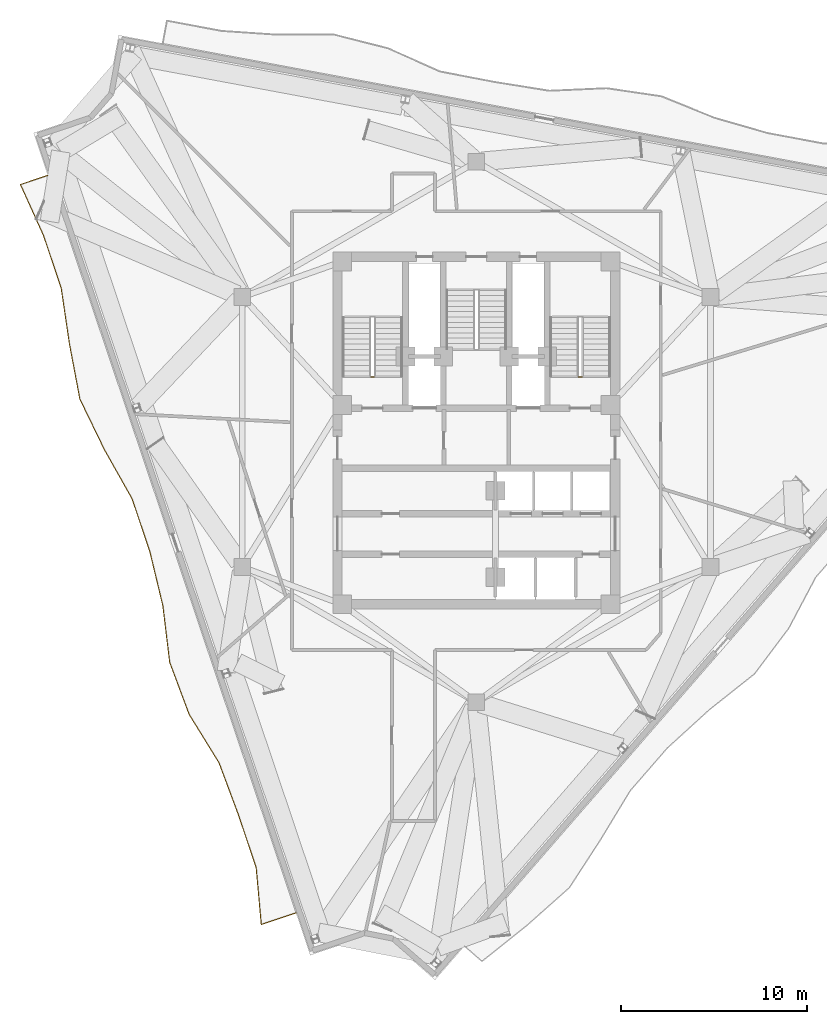
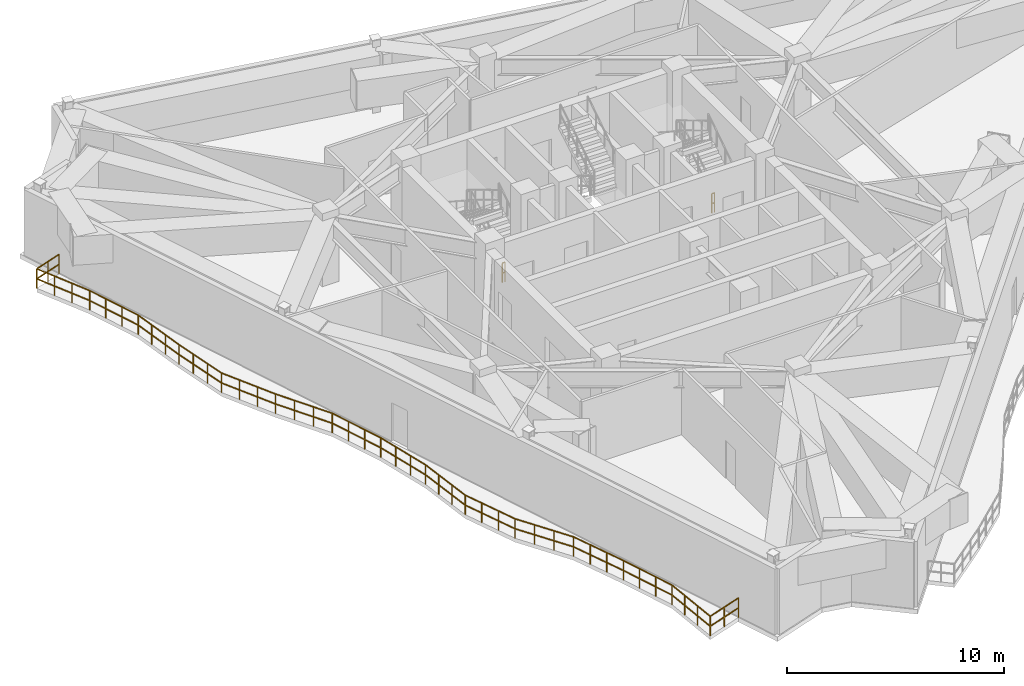
# One storey, part 8 of 10: 3 railings.
"""IFC4 building model written with IfcOpenShell, lengths in metres."""

import ifcopenshell
import ifcopenshell.guid

model = None  # the IFC model being written
_history = None  # IfcOwnerHistory: only IFC2X3 demands one
_inside = {}  # id of a spatial element -> (the spatial element, [elements in it])
_under = {}  # id of a project, library or spatial element -> (it, [spatial elements below it])
_declared = {}  # id of a project -> (the project, [libraries it declares])
_typed = {}  # id of a type object -> (the type object, [elements of that type])
_made_of = {}  # id of a material, layer set ... -> (it, [elements and type objects made of it])


def new_model(schema):
    """Start an empty IFC model of exactly this schema.

    Asked for "IFC4X3", IfcOpenShell would pick the latest addendum, in which some entities
    have other attributes; the version numbers below select the first issue.
    IFC2X3 requires an IfcOwnerHistory on every rooted entity: one is made here for all.
    """
    global model, _history
    if schema == "IFC4X3":
        model = ifcopenshell.file(schema_version=(4, 3, 0, 0))
    else:
        model = ifcopenshell.file(schema=schema)
    _inside.clear()
    _under.clear()
    _declared.clear()
    _typed.clear()
    _made_of.clear()
    _history = None
    if model.schema == "IFC2X3":
        org = make("IfcOrganization", Name="unknown")
        user = make(
            "IfcPersonAndOrganization",
            ThePerson=make("IfcPerson", FamilyName="unknown"),
            TheOrganization=org,
        )
        app = make(
            "IfcApplication",
            ApplicationDeveloper=org,
            Version="unknown",
            ApplicationFullName="unknown",
            ApplicationIdentifier="unknown",
        )
        _history = make(
            "IfcOwnerHistory",
            OwningUser=user,
            OwningApplication=app,
            ChangeAction="ADDED",
            CreationDate=0,
        )
    return model


def make(cls, **values):
    """One entity of the class cls with the attributes given. An attribute that is None is left unset."""
    return model.create_entity(
        cls, **{name: value for name, value in values.items() if value is not None}
    )


def rooted(cls, **values):
    """An entity with a GlobalId (a new one), such as an element, a storey or a relation."""
    return make(cls, GlobalId=ifcopenshell.guid.new(), OwnerHistory=_history, **values)


def si_unit(unit_type, name, prefix=None):
    """IfcSIUnit, for example si_unit("LENGTHUNIT", "METRE", prefix="MILLI")."""
    return make("IfcSIUnit", UnitType=unit_type, Prefix=prefix, Name=name)


def assignment(units):
    """IfcUnitAssignment: the units of a project."""
    return None if units is None else make("IfcUnitAssignment", Units=units)


def point(xyz):
    """IfcCartesianPoint."""
    return None if xyz is None else make("IfcCartesianPoint", Coordinates=xyz)


def direction(xyz):
    """IfcDirection."""
    return None if xyz is None else make("IfcDirection", DirectionRatios=xyz)


def frame(location, z_axis=None, x_axis=None):
    """IfcAxis2Placement3D, a coordinate frame: its origin and axes. An axis left out is left unset."""
    return make(
        "IfcAxis2Placement3D",
        Location=point(location),
        Axis=direction(z_axis),
        RefDirection=direction(x_axis),
    )


def frame_2d(location, x_axis=None):
    """IfcAxis2Placement2D, a coordinate frame in the plane: its origin and x axis."""
    return make(
        "IfcAxis2Placement2D", Location=point(location), RefDirection=direction(x_axis)
    )


def origin():
    """The frame at (0, 0, 0) with its axes left unset."""
    return frame((0.0, 0.0, 0.0))


def origin_2d():
    """The frame at (0, 0) in the plane with its x axis left unset."""
    return frame_2d((0.0, 0.0))


def place(relative_to, where):
    """IfcLocalPlacement: puts the frame where relative to a parent placement (None: the world)."""
    return make(
        "IfcLocalPlacement", PlacementRelTo=relative_to, RelativePlacement=where
    )


def context(
    kind, dimensions, precision=None, world=None, true_north=None, identifier=None
):
    """IfcGeometricRepresentationContext, for example the 3D "Model" context."""
    return make(
        "IfcGeometricRepresentationContext",
        ContextIdentifier=identifier,
        ContextType=kind,
        CoordinateSpaceDimension=dimensions,
        Precision=precision,
        WorldCoordinateSystem=world,
        TrueNorth=true_north,
    )


def subcontext(parent, identifier, kind, view, scale=None):
    """IfcGeometricRepresentationSubContext, for example "Body" below "Model"."""
    return make(
        "IfcGeometricRepresentationSubContext",
        ContextIdentifier=identifier,
        ContextType=kind,
        ParentContext=parent,
        TargetScale=scale,
        TargetView=view,
    )


def project(units=None, contexts=None):
    """IfcProject with its units and contexts."""
    return rooted(
        "IfcProject",
        Name="project",
        RepresentationContexts=contexts,
        UnitsInContext=assignment(units),
    )


def spatial(cls, under=None, at=None, **own):
    """A site, building, storey or space (cls), placed at a placement, below another one or the project."""
    s = rooted(cls, ObjectPlacement=at, **own)
    if under is not None:
        _under.setdefault(under.id(), (under, []))[1].append(s)
    return s


def profile(cls, at=None, kind="AREA", **sizes):
    """A parametric profile (cls). Its sizes go by their IFC names, for example OverallWidth=200.0."""
    return make(cls, ProfileType=kind, Position=at, **sizes)


def rectangle(**sizes):
    """IfcRectangleProfileDef."""
    return profile("IfcRectangleProfileDef", **sizes)


def extrude(swept, where, along, depth):
    """IfcExtrudedAreaSolid: the profile swept, set in the frame where, extruded along a direction by depth."""
    return make(
        "IfcExtrudedAreaSolid",
        SweptArea=swept,
        Position=where,
        ExtrudedDirection=direction(along),
        Depth=depth,
    )


def shape(context_of_items, identifier, shape_type, items):
    """IfcShapeRepresentation: the items that make up one representation, for example the "Body"."""
    return make(
        "IfcShapeRepresentation",
        ContextOfItems=context_of_items,
        RepresentationIdentifier=identifier,
        RepresentationType=shape_type,
        Items=items,
    )


def material(Name=None, Category=None):
    """IfcMaterial."""
    return make("IfcMaterial", Name=Name, Category=Category)


def made_of(thing, what):
    """Note that an element or type object is made of a material, layer set ...; save() writes the relation."""
    if what is not None:
        _made_of.setdefault(what.id(), (what, []))[1].append(thing)
    return thing


def type_object(cls, material=None, **own):
    """A type object (cls), such as IfcWallType, which elements share."""
    return made_of(rooted(cls, **own), material)


def element(
    cls,
    number,
    at=None,
    inside=None,
    cuts=None,
    type_object=None,
    material=None,
    context=None,
    identifier="Body",
    shape_type=None,
    held_by="IfcProductDefinitionShape",
    body=None,
    shapes=None,
    **own,
):
    """One element of the class cls, such as IfcWall. Its Tag is "e" and its number.

    at: its placement. inside: the storey or other place that contains it. cuts: it is an
    opening in that element (IfcRelVoidsElement). A single representation is given by context,
    identifier, shape_type and body (its items); several are given by shapes. held_by: the class
    of the entity that holds the representations. save() writes the other relations.
    """
    e = rooted(cls, Tag="e%d" % number, ObjectPlacement=at, **own)
    if body is not None:
        shapes = [shape(context, identifier, shape_type, body)]
    if shapes is not None:
        e.Representation = make(held_by, Representations=shapes)
    if inside is not None:
        _inside.setdefault(inside.id(), (inside, []))[1].append(e)
    if cuts is not None:
        rooted(
            "IfcRelVoidsElement", RelatingBuildingElement=cuts, RelatedOpeningElement=e
        )
    if type_object is not None:
        _typed.setdefault(type_object.id(), (type_object, []))[1].append(e)
    return made_of(e, material)


def aggregate(whole, parts):
    """IfcRelAggregates: a whole, such as a stair, and the parts it consists of."""
    return rooted("IfcRelAggregates", RelatingObject=whole, RelatedObjects=parts)


def save(model, path):
    """Write the relations noted so far, then the file.

    IfcRelAggregates (storeys below a building ...), IfcRelContainedInSpatialStructure (elements
    in a storey), IfcRelDefinesByType, IfcRelAssociatesMaterial and IfcRelDeclares: one each for
    every whole, place, type object, material and project.
    """
    for whole, parts in _under.values():
        aggregate(whole, parts)
    for where, things in _inside.values():
        rooted(
            "IfcRelContainedInSpatialStructure",
            RelatedElements=things,
            RelatingStructure=where,
        )
    for kind, things in _typed.values():
        rooted("IfcRelDefinesByType", RelatedObjects=things, RelatingType=kind)
    for what, things in _made_of.values():
        rooted("IfcRelAssociatesMaterial", RelatedObjects=things, RelatingMaterial=what)
    for by, libraries in _declared.values():
        rooted("IfcRelDeclares", RelatingContext=by, RelatedDefinitions=libraries)
    model.write(path)


model = new_model("IFC4")

# Units and contexts
model_context = context("Model", 3, precision=1e-05, world=origin(), true_north=direction((0.0, 1.0)))
body_context = subcontext(model_context, "Body", "Model", "MODEL_VIEW")
ifc_project = project(units=[si_unit("LENGTHUNIT", "METRE"), si_unit("AREAUNIT", "SQUARE_METRE"), si_unit("VOLUMEUNIT", "CUBIC_METRE"), si_unit("PLANEANGLEUNIT", "RADIAN"), si_unit("MASSUNIT", "GRAM", prefix="KILO")], contexts=[model_context])

# Site, building, storey
site_placement = place(None, origin())
site = spatial("IfcSite", under=ifc_project, at=site_placement, CompositionType="ELEMENT")
building_placement = place(site_placement, origin())
building = spatial("IfcBuilding", under=site, at=building_placement, Name="Apsidion Concourse Tower", CompositionType="ELEMENT")
storey_placement = place(building_placement, frame((0.0, 0.0, 290.10009765625)))
storey = spatial("IfcBuildingStorey", under=building, at=storey_placement, Name="L68", CompositionType="ELEMENT", Elevation=290.10009765625)

# Railings
ifc_material = material(Name="Brushed stainless steel 316", Category="steel")
railing_type_1 = type_object("IfcRailingType", Name="RL-BAL-1120", PredefinedType="BALUSTRADE", material=ifc_material)
railing_placement = place(storey_placement, frame((-9.681396484375, -25.806884765625, 0.0)))
element("IfcRailing", 1, at=railing_placement, inside=storey, type_object=railing_type_1, Name="L68 Face 1 Rippling Balcony Balustrade", PredefinedType="BALUSTRADE", context=body_context, shape_type="SweptSolid", body=[
    extrude(rectangle(XDim=0.048095703125, YDim=0.048095703125, at=origin_2d()), frame((0.0, 0.0, 1.09619140625), z_axis=(-0.947809931196, -0.318835905014, 0.0), x_axis=(0.318835905014, -0.947809931196, 0.0)), (0.0, 0.0, 1.0), 1.96484375),
    extrude(rectangle(XDim=0.048095703125, YDim=0.048095703125, at=origin_2d()), frame((0.0, 0.0, 0.5361328125), z_axis=(-0.947809931196, -0.318835905014, 0.0), x_axis=(0.318835905014, -0.947809931196, 0.0)), (0.0, 0.0, 1.0), 1.96484375),
    extrude(rectangle(XDim=0.048095703125, YDim=0.048095703125, at=origin_2d()), frame((-1.8623046875, -0.62646484375, 1.09619140625), z_axis=(-0.089301360053, 0.996004652144, 0.0), x_axis=(-0.996004652144, -0.089301360053, 0.0)), (0.0, 0.0, 1.0), 3.0673828125),
    extrude(rectangle(XDim=0.048095703125, YDim=0.048095703125, at=origin_2d()), frame((-1.8623046875, -0.62646484375, 0.5361328125), z_axis=(-0.089301360053, 0.996004652144, 0.0), x_axis=(-0.996004652144, -0.089301360053, 0.0)), (0.0, 0.0, 1.0), 3.0673828125),
    extrude(rectangle(XDim=0.048095703125, YDim=0.048095703125, at=origin_2d()), frame((-2.13623046875, 2.4287109375, 1.09619140625), z_axis=(-0.318853658864, 0.947803958754, 0.0), x_axis=(-0.947803958754, -0.318853658864, 0.0)), (0.0, 0.0, 1.0), 2.983154296875),
    extrude(rectangle(XDim=0.048095703125, YDim=0.048095703125, at=origin_2d()), frame((-2.13623046875, 2.4287109375, 0.5361328125), z_axis=(-0.318853658864, 0.947803958754, 0.0), x_axis=(-0.947803958754, -0.318853658864, 0.0)), (0.0, 0.0, 1.0), 2.983154296875),
    extrude(rectangle(XDim=0.048095703125, YDim=0.048095703125, at=origin_2d()), frame((-3.08740234375, 5.256103515625, 1.09619140625), z_axis=(-0.349141418855, 0.937070045215, 0.0), x_axis=(-0.937070045215, -0.349141418855, 0.0)), (0.0, 0.0, 1.0), 2.984375),
    extrude(rectangle(XDim=0.048095703125, YDim=0.048095703125, at=origin_2d()), frame((-3.08740234375, 5.256103515625, 0.5361328125), z_axis=(-0.349141418855, 0.937070045215, 0.0), x_axis=(-0.937070045215, -0.349141418855, 0.0)), (0.0, 0.0, 1.0), 2.984375),
    extrude(rectangle(XDim=0.048095703125, YDim=0.048095703125, at=origin_2d()), frame((-4.12939453125, 8.052734375, 1.09619140625), z_axis=(-0.525182259942, 0.850989773054, 0.0), x_axis=(-0.850989773054, -0.525182259942, 0.0)), (0.0, 0.0, 1.0), 3.0625),
    extrude(rectangle(XDim=0.048095703125, YDim=0.048095703125, at=origin_2d()), frame((-4.12939453125, 8.052734375, 0.5361328125), z_axis=(-0.525182259942, 0.850989773054, 0.0), x_axis=(-0.850989773054, -0.525182259942, 0.0)), (0.0, 0.0, 1.0), 3.0625),
    extrude(rectangle(XDim=0.048095703125, YDim=0.048095703125, at=origin_2d()), frame((-5.73779296875, 10.658935546875, 1.09619140625), z_axis=(-0.349042825188, 0.937106774164, 0.0), x_axis=(-0.937106774164, -0.349042825188, 0.0)), (0.0, 0.0, 1.0), 2.984619140625),
    extrude(rectangle(XDim=0.048095703125, YDim=0.048095703125, at=origin_2d()), frame((-5.73779296875, 10.658935546875, 0.5361328125), z_axis=(-0.349042825188, 0.937106774164, 0.0), x_axis=(-0.937106774164, -0.349042825188, 0.0)), (0.0, 0.0, 1.0), 2.984619140625),
    extrude(rectangle(XDim=0.048095703125, YDim=0.048095703125, at=origin_2d()), frame((-6.779541015625, 13.455810546875, 1.09619140625), z_axis=(-0.119644481568, 0.992816799833, 0.0), x_axis=(-0.992816799833, -0.119644481568, 0.0)), (0.0, 0.0, 1.0), 3.046630859375),
    extrude(rectangle(XDim=0.048095703125, YDim=0.048095703125, at=origin_2d()), frame((-6.779541015625, 13.455810546875, 0.5361328125), z_axis=(-0.119644481568, 0.992816799833, 0.0), x_axis=(-0.992816799833, -0.119644481568, 0.0)), (0.0, 0.0, 1.0), 3.046630859375),
    extrude(rectangle(XDim=0.048095703125, YDim=0.048095703125, at=origin_2d()), frame((-7.14404296875, 16.48046875, 1.09619140625), z_axis=(-0.233625756152, 0.972326594341, 0.0), x_axis=(-0.972326594341, -0.233625756152, 0.0)), (0.0, 0.0, 1.0), 2.994873046875),
    extrude(rectangle(XDim=0.048095703125, YDim=0.048095703125, at=origin_2d()), frame((-7.14404296875, 16.48046875, 0.5361328125), z_axis=(-0.233625756152, 0.972326594341, 0.0), x_axis=(-0.972326594341, -0.233625756152, 0.0)), (0.0, 0.0, 1.0), 2.994873046875),
    extrude(rectangle(XDim=0.048095703125, YDim=0.048095703125, at=origin_2d()), frame((-7.84375, 19.392578125, 1.09619140625), z_axis=(-0.318951916202, 0.947770898029, 0.0), x_axis=(-0.947770898029, -0.318951916202, 0.0)), (0.0, 0.0, 1.0), 2.98291015625),
    extrude(rectangle(XDim=0.048095703125, YDim=0.048095703125, at=origin_2d()), frame((-7.84375, 19.392578125, 0.5361328125), z_axis=(-0.318951916202, 0.947770898029, 0.0), x_axis=(-0.947770898029, -0.318951916202, 0.0)), (0.0, 0.0, 1.0), 2.98291015625),
    extrude(rectangle(XDim=0.048095703125, YDim=0.048095703125, at=origin_2d()), frame((-8.795166015625, 22.2197265625, 1.09619140625), z_axis=(-0.490726836373, 0.871313475199, 0.0), x_axis=(-0.871313475199, -0.490726836373, 0.0)), (0.0, 0.0, 1.0), 3.036865234375),
    extrude(rectangle(XDim=0.048095703125, YDim=0.048095703125, at=origin_2d()), frame((-8.795166015625, 22.2197265625, 0.5361328125), z_axis=(-0.490726836373, 0.871313475199, 0.0), x_axis=(-0.871313475199, -0.490726836373, 0.0)), (0.0, 0.0, 1.0), 3.036865234375),
    extrude(rectangle(XDim=0.048095703125, YDim=0.048095703125, at=origin_2d()), frame((-10.285400390625, 24.86572265625, 1.09619140625), z_axis=(-0.436432845181, 0.899736834662, 0.0), x_axis=(-0.899736834662, -0.436432845181, 0.0)), (0.0, 0.0, 1.0), 3.00732421875),
    extrude(rectangle(XDim=0.048095703125, YDim=0.048095703125, at=origin_2d()), frame((-10.285400390625, 24.86572265625, 0.5361328125), z_axis=(-0.436432845181, 0.899736834662, 0.0), x_axis=(-0.899736834662, -0.436432845181, 0.0)), (0.0, 0.0, 1.0), 3.00732421875),
    extrude(rectangle(XDim=0.048095703125, YDim=0.048095703125, at=origin_2d()), frame((-11.597900390625, 27.571533203125, 1.09619140625), z_axis=(-0.185893783474, 0.98256984549, 0.0), x_axis=(-0.98256984549, -0.185893783474, 0.0)), (0.0, 0.0, 1.0), 3.011474609375),
    extrude(rectangle(XDim=0.048095703125, YDim=0.048095703125, at=origin_2d()), frame((-11.597900390625, 27.571533203125, 0.5361328125), z_axis=(-0.185893783474, 0.98256984549, 0.0), x_axis=(-0.98256984549, -0.185893783474, 0.0)), (0.0, 0.0, 1.0), 3.011474609375),
    extrude(rectangle(XDim=0.048095703125, YDim=0.048095703125, at=origin_2d()), frame((-12.15771484375, 30.530517578125, 1.09619140625), z_axis=(-0.145953119339, 0.989291507573, 0.0), x_axis=(-0.989291507573, -0.145953119339, 0.0)), (0.0, 0.0, 1.0), 3.031005859375),
    extrude(rectangle(XDim=0.048095703125, YDim=0.048095703125, at=origin_2d()), frame((-12.15771484375, 30.530517578125, 0.5361328125), z_axis=(-0.145953119339, 0.989291507573, 0.0), x_axis=(-0.989291507573, -0.145953119339, 0.0)), (0.0, 0.0, 1.0), 3.031005859375),
    extrude(rectangle(XDim=0.048095703125, YDim=0.048095703125, at=origin_2d()), frame((-12.60009765625, 33.529052734375, 1.09619140625), z_axis=(-0.318951916202, 0.947770898029, 0.0), x_axis=(-0.947770898029, -0.318951916202, 0.0)), (0.0, 0.0, 1.0), 2.98291015625),
    extrude(rectangle(XDim=0.048095703125, YDim=0.048095703125, at=origin_2d()), frame((-12.60009765625, 33.529052734375, 0.5361328125), z_axis=(-0.318951916202, 0.947770898029, 0.0), x_axis=(-0.947770898029, -0.318951916202, 0.0)), (0.0, 0.0, 1.0), 2.98291015625),
    extrude(rectangle(XDim=0.048095703125, YDim=0.048095703125, at=origin_2d()), frame((-13.551513671875, 36.356201171875, 1.09619140625), z_axis=(-0.412121195106, 0.911129036166, 0.0), x_axis=(-0.911129036166, -0.412121195106, 0.0)), (0.0, 0.0, 1.0), 2.998046875),
    extrude(rectangle(XDim=0.048095703125, YDim=0.048095703125, at=origin_2d()), frame((-13.551513671875, 36.356201171875, 0.5361328125), z_axis=(-0.412121195106, 0.911129036166, 0.0), x_axis=(-0.911129036166, -0.412121195106, 0.0)), (0.0, 0.0, 1.0), 2.998046875),
    extrude(rectangle(XDim=0.048095703125, YDim=0.048095703125, at=origin_2d()), frame((-14.787109375, 39.087890625, 1.09619140625), z_axis=(0.947765753937, 0.318967201549, 0.0), x_axis=(-0.318967201549, 0.947765753937, 0.0)), (0.0, 0.0, 1.0), 1.550048828125),
    extrude(rectangle(XDim=0.048095703125, YDim=0.048095703125, at=origin_2d()), frame((-14.787109375, 39.087890625, 0.5361328125), z_axis=(0.947765753937, 0.318967201549, 0.0), x_axis=(-0.318967201549, 0.947765753937, 0.0)), (0.0, 0.0, 1.0), 1.550048828125),
    extrude(rectangle(XDim=0.0419921875, YDim=0.0419921875, at=origin_2d()), origin(), (0.0, 0.0, 1.0), 1.072021484375),
    extrude(rectangle(XDim=0.0419921875, YDim=0.0419921875, at=origin_2d()), frame((-0.93115234375, -0.313232421875, 0.0)), (0.0, 0.0, 1.0), 1.072021484375),
    extrude(rectangle(XDim=0.0419921875, YDim=0.0419921875, at=origin_2d()), frame((-1.8623046875, -0.62646484375, 0.0)), (0.0, 0.0, 1.0), 1.072021484375),
    extrude(rectangle(XDim=0.0419921875, YDim=0.0419921875, at=origin_2d()), frame((-1.95361328125, 0.391845703125, 0.0)), (0.0, 0.0, 1.0), 1.072021484375),
    extrude(rectangle(XDim=0.0419921875, YDim=0.0419921875, at=origin_2d()), frame((-2.044921875, 1.410400390625, 0.0)), (0.0, 0.0, 1.0), 1.072021484375),
    extrude(rectangle(XDim=0.0419921875, YDim=0.0419921875, at=origin_2d()), frame((-2.13623046875, 2.4287109375, 0.0)), (0.0, 0.0, 1.0), 1.072021484375),
    extrude(rectangle(XDim=0.0419921875, YDim=0.0419921875, at=origin_2d()), frame((-2.453369140625, 3.37109375, 0.0)), (0.0, 0.0, 1.0), 1.072021484375),
    extrude(rectangle(XDim=0.0419921875, YDim=0.0419921875, at=origin_2d()), frame((-2.770263671875, 4.313720703125, 0.0)), (0.0, 0.0, 1.0), 1.072021484375),
    extrude(rectangle(XDim=0.0419921875, YDim=0.0419921875, at=origin_2d()), frame((-3.08740234375, 5.256103515625, 0.0)), (0.0, 0.0, 1.0), 1.072021484375),
    extrude(rectangle(XDim=0.0419921875, YDim=0.0419921875, at=origin_2d()), frame((-3.434814453125, 6.188232421875, 0.0)), (0.0, 0.0, 1.0), 1.072021484375),
    extrude(rectangle(XDim=0.0419921875, YDim=0.0419921875, at=origin_2d()), frame((-3.781982421875, 7.12060546875, 0.0)), (0.0, 0.0, 1.0), 1.072021484375),
    extrude(rectangle(XDim=0.0419921875, YDim=0.0419921875, at=origin_2d()), frame((-4.12939453125, 8.052734375, 0.0)), (0.0, 0.0, 1.0), 1.072021484375),
    extrude(rectangle(XDim=0.0419921875, YDim=0.0419921875, at=origin_2d()), frame((-4.66552734375, 8.92138671875, 0.0)), (0.0, 0.0, 1.0), 1.072021484375),
    extrude(rectangle(XDim=0.0419921875, YDim=0.0419921875, at=origin_2d()), frame((-5.20166015625, 9.790283203125, 0.0)), (0.0, 0.0, 1.0), 1.072021484375),
    extrude(rectangle(XDim=0.0419921875, YDim=0.0419921875, at=origin_2d()), frame((-5.73779296875, 10.658935546875, 0.0)), (0.0, 0.0, 1.0), 1.072021484375),
    extrude(rectangle(XDim=0.0419921875, YDim=0.0419921875, at=origin_2d()), frame((-6.0849609375, 11.59130859375, 0.0)), (0.0, 0.0, 1.0), 1.072021484375),
    extrude(rectangle(XDim=0.0419921875, YDim=0.0419921875, at=origin_2d()), frame((-6.432373046875, 12.5234375, 0.0)), (0.0, 0.0, 1.0), 1.072021484375),
    extrude(rectangle(XDim=0.0419921875, YDim=0.0419921875, at=origin_2d()), frame((-6.779541015625, 13.455810546875, 0.0)), (0.0, 0.0, 1.0), 1.072021484375),
    extrude(rectangle(XDim=0.0419921875, YDim=0.0419921875, at=origin_2d()), frame((-6.901123046875, 14.464111328125, 0.0)), (0.0, 0.0, 1.0), 1.072021484375),
    extrude(rectangle(XDim=0.0419921875, YDim=0.0419921875, at=origin_2d()), frame((-7.0224609375, 15.47216796875, 0.0)), (0.0, 0.0, 1.0), 1.072021484375),
    extrude(rectangle(XDim=0.0419921875, YDim=0.0419921875, at=origin_2d()), frame((-7.14404296875, 16.48046875, 0.0)), (0.0, 0.0, 1.0), 1.072021484375),
    extrude(rectangle(XDim=0.0419921875, YDim=0.0419921875, at=origin_2d()), frame((-7.377197265625, 17.451171875, 0.0)), (0.0, 0.0, 1.0), 1.072021484375),
    extrude(rectangle(XDim=0.0419921875, YDim=0.0419921875, at=origin_2d()), frame((-7.610595703125, 18.421875, 0.0)), (0.0, 0.0, 1.0), 1.072021484375),
    extrude(rectangle(XDim=0.0419921875, YDim=0.0419921875, at=origin_2d()), frame((-7.84375, 19.392578125, 0.0)), (0.0, 0.0, 1.0), 1.072021484375),
    extrude(rectangle(XDim=0.0419921875, YDim=0.0419921875, at=origin_2d()), frame((-8.160888671875, 20.3349609375, 0.0)), (0.0, 0.0, 1.0), 1.072021484375),
    extrude(rectangle(XDim=0.0419921875, YDim=0.0419921875, at=origin_2d()), frame((-8.47802734375, 21.27734375, 0.0)), (0.0, 0.0, 1.0), 1.072021484375),
    extrude(rectangle(XDim=0.0419921875, YDim=0.0419921875, at=origin_2d()), frame((-8.795166015625, 22.2197265625, 0.0)), (0.0, 0.0, 1.0), 1.072021484375),
    extrude(rectangle(XDim=0.0419921875, YDim=0.0419921875, at=origin_2d()), frame((-9.2919921875, 23.101806640625, 0.0)), (0.0, 0.0, 1.0), 1.072021484375),
    extrude(rectangle(XDim=0.0419921875, YDim=0.0419921875, at=origin_2d()), frame((-9.78857421875, 23.983642578125, 0.0)), (0.0, 0.0, 1.0), 1.072021484375),
    extrude(rectangle(XDim=0.0419921875, YDim=0.0419921875, at=origin_2d()), frame((-10.285400390625, 24.86572265625, 0.0)), (0.0, 0.0, 1.0), 1.072021484375),
    extrude(rectangle(XDim=0.0419921875, YDim=0.0419921875, at=origin_2d()), frame((-10.722900390625, 25.767578125, 0.0)), (0.0, 0.0, 1.0), 1.072021484375),
    extrude(rectangle(XDim=0.0419921875, YDim=0.0419921875, at=origin_2d()), frame((-11.160400390625, 26.669677734375, 0.0)), (0.0, 0.0, 1.0), 1.072021484375),
    extrude(rectangle(XDim=0.0419921875, YDim=0.0419921875, at=origin_2d()), frame((-11.597900390625, 27.571533203125, 0.0)), (0.0, 0.0, 1.0), 1.072021484375),
    extrude(rectangle(XDim=0.0419921875, YDim=0.0419921875, at=origin_2d()), frame((-11.784423828125, 28.557861328125, 0.0)), (0.0, 0.0, 1.0), 1.072021484375),
    extrude(rectangle(XDim=0.0419921875, YDim=0.0419921875, at=origin_2d()), frame((-11.97119140625, 29.544189453125, 0.0)), (0.0, 0.0, 1.0), 1.072021484375),
    extrude(rectangle(XDim=0.0419921875, YDim=0.0419921875, at=origin_2d()), frame((-12.15771484375, 30.530517578125, 0.0)), (0.0, 0.0, 1.0), 1.072021484375),
    extrude(rectangle(XDim=0.0419921875, YDim=0.0419921875, at=origin_2d()), frame((-12.30517578125, 31.530029296875, 0.0)), (0.0, 0.0, 1.0), 1.072021484375),
    extrude(rectangle(XDim=0.0419921875, YDim=0.0419921875, at=origin_2d()), frame((-12.45263671875, 32.529541015625, 0.0)), (0.0, 0.0, 1.0), 1.072021484375),
    extrude(rectangle(XDim=0.0419921875, YDim=0.0419921875, at=origin_2d()), frame((-12.60009765625, 33.529052734375, 0.0)), (0.0, 0.0, 1.0), 1.072021484375),
    extrude(rectangle(XDim=0.0419921875, YDim=0.0419921875, at=origin_2d()), frame((-12.917236328125, 34.471435546875, 0.0)), (0.0, 0.0, 1.0), 1.072021484375),
    extrude(rectangle(XDim=0.0419921875, YDim=0.0419921875, at=origin_2d()), frame((-13.234375, 35.413818359375, 0.0)), (0.0, 0.0, 1.0), 1.072021484375),
    extrude(rectangle(XDim=0.0419921875, YDim=0.0419921875, at=origin_2d()), frame((-13.551513671875, 36.356201171875, 0.0)), (0.0, 0.0, 1.0), 1.072021484375),
    extrude(rectangle(XDim=0.0419921875, YDim=0.0419921875, at=origin_2d()), frame((-13.96337890625, 37.266845703125, 0.0)), (0.0, 0.0, 1.0), 1.072021484375),
    extrude(rectangle(XDim=0.0419921875, YDim=0.0419921875, at=origin_2d()), frame((-14.375244140625, 38.17724609375, 0.0)), (0.0, 0.0, 1.0), 1.072021484375),
    extrude(rectangle(XDim=0.0419921875, YDim=0.0419921875, at=origin_2d()), frame((-14.787109375, 39.087890625, 0.0)), (0.0, 0.0, 1.0), 1.072021484375),
    extrude(rectangle(XDim=0.0419921875, YDim=0.0419921875, at=origin_2d()), frame((-14.052734375, 39.3349609375, 0.0)), (0.0, 0.0, 1.0), 1.072021484375),
    extrude(rectangle(XDim=0.0419921875, YDim=0.0419921875, at=origin_2d()), frame((-13.318115234375, 39.582275390625, 0.0)), (0.0, 0.0, 1.0), 1.072021484375),
])
railing_type_2 = type_object("IfcRailingType", Name="RL-GUARD-1100", PredefinedType="GUARDRAIL", material=ifc_material)
for number, where, name in (
    (2, (-5.5, 2.949951171875, 0.0), "L68 ST1 stair guard 4"),
    (3, (5.64990234375, 2.949951171875, 0.0), "L68 ST2 stair guard 4"),
):
    element("IfcRailing", number, at=place(storey_placement, frame(where)), inside=storey, type_object=railing_type_2, Name=name, PredefinedType="GUARDRAIL", context=body_context, shape_type="SweptSolid", body=[
        extrude(rectangle(XDim=0.048095703125, YDim=0.048095703125, at=origin_2d()), frame((0.0, 0.0, 1.09619140625), z_axis=(-1.0, 0.0, 0.0), x_axis=(0.0, -1.0, 0.0)), (0.0, 0.0, 1.0), 0.14990234375),
        extrude(rectangle(XDim=0.048095703125, YDim=0.048095703125, at=origin_2d()), frame((0.0, 0.0, 0.5361328125), z_axis=(-1.0, 0.0, 0.0), x_axis=(0.0, -1.0, 0.0)), (0.0, 0.0, 1.0), 0.14990234375),
        extrude(rectangle(XDim=0.0419921875, YDim=0.0419921875, at=origin_2d()), origin(), (0.0, 0.0, 1.0), 1.072021484375),
        extrude(rectangle(XDim=0.0419921875, YDim=0.0419921875, at=origin_2d()), frame((-0.14990234375, 0.0, 0.0)), (0.0, 0.0, 1.0), 1.072021484375),
    ])

save(model, "model.ifc")
